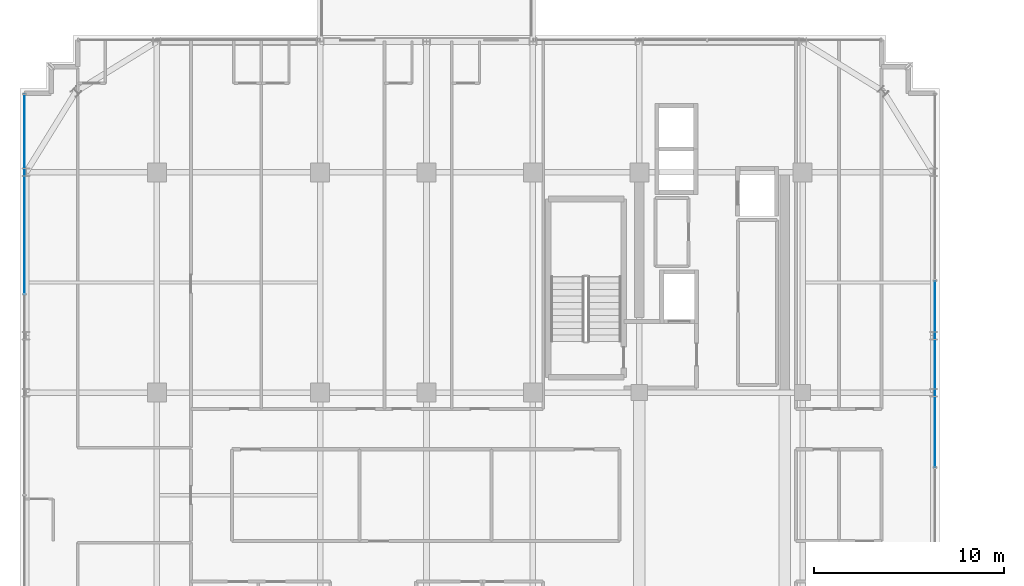
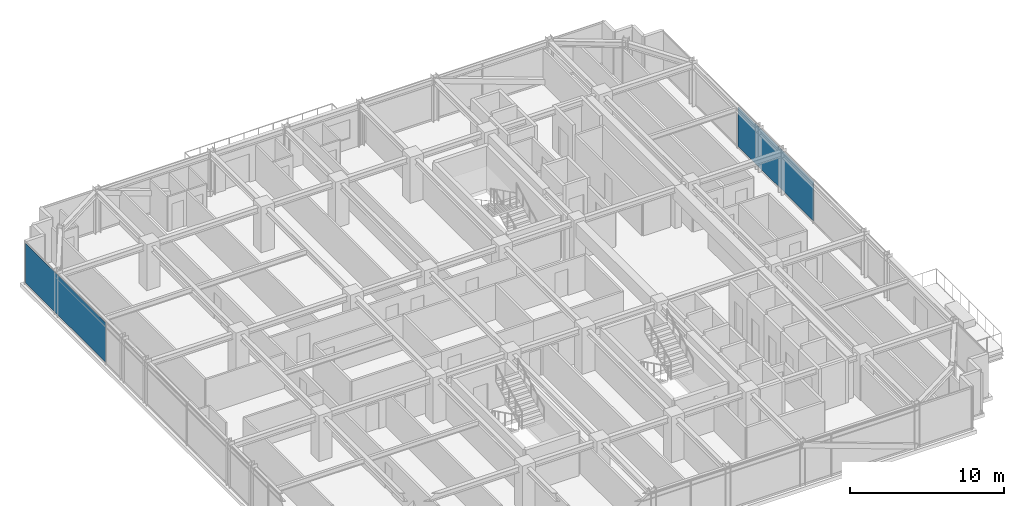
# One storey, part 32 of 43: 2 plates, 2 elements without a shape of their own.
"""IFC4 building model written with IfcOpenShell, lengths in metres."""

from ifc_helpers import new_model, si_unit, direction, frame, origin, origin_2d, place, context, subcontext, project, spatial, rectangle, extrude, source, transform, mapped, material, layer, layer_set, type_object, element, aggregate, save


model = new_model("IFC4")

# Units and contexts
model_context = context("Model", 3, precision=1e-05, world=origin(), true_north=direction((0.0, 1.0)))
body_context = subcontext(model_context, "Body", "Model", "MODEL_VIEW")
ifc_project = project(units=[si_unit("LENGTHUNIT", "METRE"), si_unit("AREAUNIT", "SQUARE_METRE"), si_unit("VOLUMEUNIT", "CUBIC_METRE"), si_unit("PLANEANGLEUNIT", "RADIAN"), si_unit("MASSUNIT", "GRAM", prefix="KILO")], contexts=[model_context])

# Site, building, storey
site_placement = place(None, origin())
site = spatial("IfcSite", under=ifc_project, at=site_placement, CompositionType="ELEMENT")
building_placement = place(site_placement, origin())
building = spatial("IfcBuilding", under=site, at=building_placement, Name="Nahalor Promenade Grand Hotel", CompositionType="ELEMENT")
storey_placement = place(building_placement, frame((0.0, 0.0, 204.89990234375)))
storey = spatial("IfcBuildingStorey", under=building, at=storey_placement, Name="L52", CompositionType="ELEMENT", Elevation=204.89990234375)

# Curtain wall, plate
ifc_material_1 = material(Name="Anodised Bronze Aluminium EN AW-6063 T6", Category="aluminium")
curtain_wall_type = type_object("IfcCurtainWallType", Name="CW2 Typical Hotel Flush Bronze Unitised Curtain Wall", PredefinedType="USERDEFINED", material=ifc_material_1)
curtain_wall_1_placement = place(storey_placement, origin())
curtain_wall_1 = element("IfcCurtainWall", 1, at=curtain_wall_1_placement, inside=storey, type_object=curtain_wall_type, Name="L52 Curtain Wall CW-L52-W-1", ObjectType="UNITISED_CURTAIN_WALL", PredefinedType="USERDEFINED")
ifc_material_2 = material(Name="Low-E Laminated Solar Glass", Category="glass")
ifc_layer = layer(ifc_material_2, 0.028076171875)
ifc_layer_set = layer_set([ifc_layer], Name="Low-E Laminated Solar Glass")
plate_type = type_object("IfcPlateType", Name="CWP2 Bronze Low-E Vision IGU 28mm", PredefinedType="CURTAIN_PANEL", material=ifc_layer_set)
shared_shape_1 = source(origin(), body_context, "Body", "SweptSolid", [
    extrude(rectangle(XDim=10.482421875, YDim=0.028076171875, at=origin_2d()), origin(), (0.0, 0.0, 1.0), 3.14990234375),
])
plate_1_placement = place(storey_placement, frame((-23.9599609375, 15.853759765625, 0.130126953125), z_axis=(0.0, 0.0, 1.0), x_axis=(0.0, 1.0, 0.0)))
plate_1 = element("IfcPlate", 2, at=plate_1_placement, type_object=plate_type, Name="CW-L52-W-1 Glazing Panel 3-0", PredefinedType="CURTAIN_PANEL", context=body_context, shape_type="MappedRepresentation", body=[
    mapped(shared_shape_1, transform((0.0, 0.0, 0.0), scale=1.0)),
])
aggregate(curtain_wall_1, [plate_1])

curtain_wall_2_placement = place(storey_placement, origin())
curtain_wall_2 = element("IfcCurtainWall", 3, at=curtain_wall_2_placement, inside=storey, type_object=curtain_wall_type, Name="L52 Curtain Wall CW-L52-E-3", ObjectType="UNITISED_CURTAIN_WALL", PredefinedType="USERDEFINED")
shared_shape_2 = source(origin(), body_context, "Body", "SweptSolid", [
    extrude(rectangle(XDim=9.788330078125, YDim=0.028076171875, at=origin_2d()), origin(), (0.0, 0.0, 1.0), 3.14990234375),
])
plate_2_placement = place(storey_placement, frame((23.9599609375, 6.3798828125, 0.130126953125), z_axis=(0.0, 0.0, 1.0), x_axis=(0.0, 1.0, 0.0)))
plate_2 = element("IfcPlate", 4, at=plate_2_placement, type_object=plate_type, Name="CW-L52-E-3 Glazing Panel 1-0", PredefinedType="CURTAIN_PANEL", context=body_context, shape_type="MappedRepresentation", body=[
    mapped(shared_shape_2, transform((0.0, 0.0, 0.0), scale=1.0)),
])
aggregate(curtain_wall_2, [plate_2])

save(model, "model.ifc")
